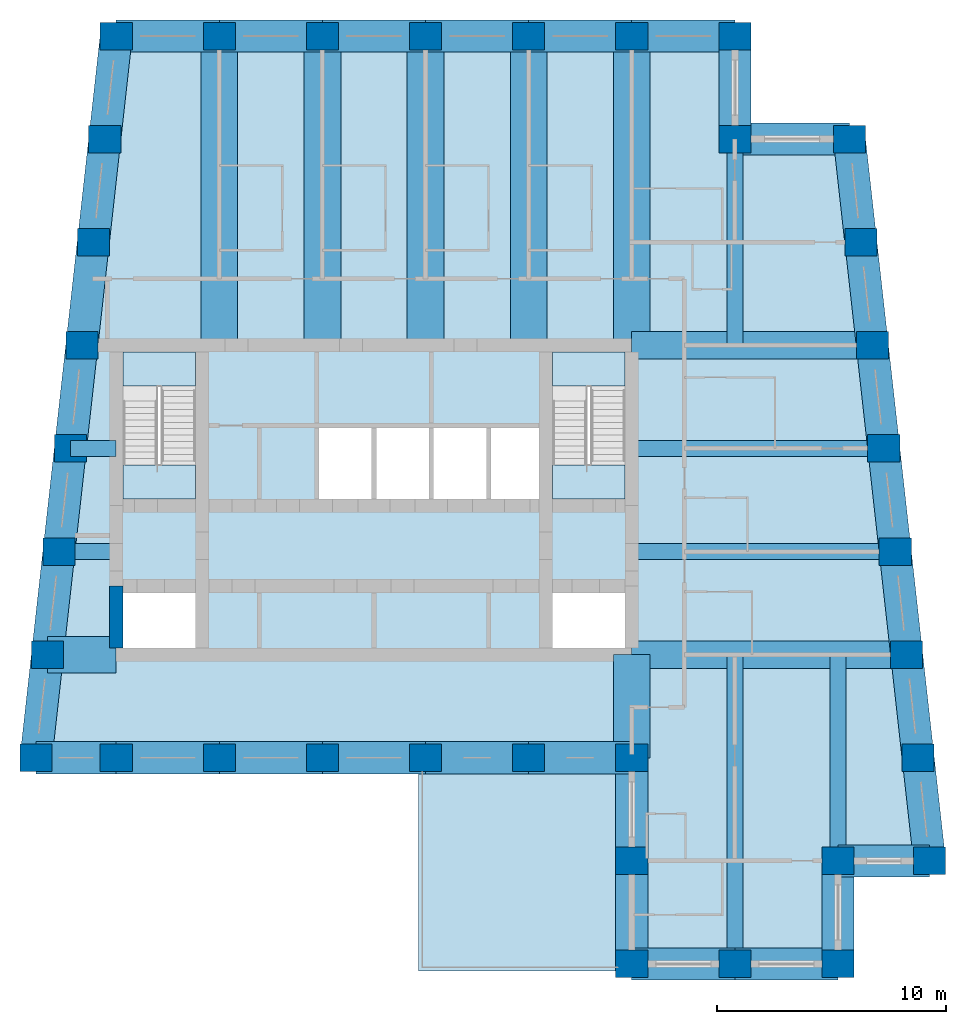
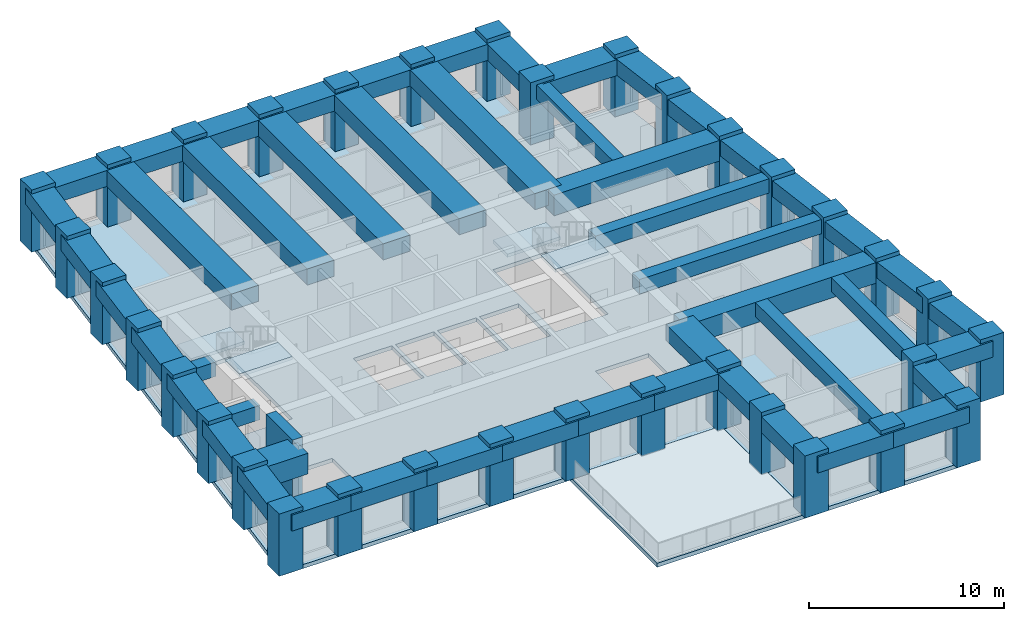
# One storey, part 1 of 7: 50 beams, 34 columns, 6 slabs, 1 wall, 2 elements without a shape of their own.
"""IFC4 building model written with IfcOpenShell, lengths in metres."""

from ifc_helpers import new_model, si_unit, direction, frame, frame_2d, origin, origin_2d, place, context, subcontext, project, spatial, polyline, rectangle, outline, extrude, material, layer, layer_set, material_profile, profile_set, type_object, element, aggregate, save


model = new_model("IFC4")

# Units and contexts
model_context = context("Model", 3, precision=1e-05, world=origin(), true_north=direction((0.0, 1.0)))
body_context = subcontext(model_context, "Body", "Model", "MODEL_VIEW")
ifc_project = project(units=[si_unit("LENGTHUNIT", "METRE"), si_unit("AREAUNIT", "SQUARE_METRE"), si_unit("VOLUMEUNIT", "CUBIC_METRE"), si_unit("PLANEANGLEUNIT", "RADIAN"), si_unit("MASSUNIT", "GRAM", prefix="KILO")], contexts=[model_context])

# Site, building, storey
site_placement = place(None, origin())
site = spatial("IfcSite", under=ifc_project, at=site_placement, CompositionType="ELEMENT")
building_placement = place(site_placement, origin())
building = spatial("IfcBuilding", under=site, at=building_placement, Name="Kilele Tower Hotel", CompositionType="ELEMENT")
storey_placement = place(building_placement, frame((0.0, 0.0, 250.699951171875)))
storey = spatial("IfcBuildingStorey", under=building, at=storey_placement, Name="L64", CompositionType="ELEMENT", Elevation=250.699951171875)

# Columns
ifc_material_1 = material(Name="Concrete C60/75", Category="concrete")
ifc_material_profile_1 = material_profile(ifc_material_1, rectangle(XDim=1.39990234375, YDim=1.199951171875, at=origin_2d()))
ifc_profile_set_1 = profile_set([ifc_material_profile_1], Name="Concrete C60/75")
column_type = type_object("IfcColumnType", Name="Tube column RC 1400x1200 C60/75", PredefinedType="COLUMN", material=ifc_profile_set_1)
for number, where, z_axis, x_axis, name in (
    (1, (10.0, 9.0, 0.0), (0.0, 0.0, 1.0), (1.0, 0.0, 0.0), "Column TC5 L64"),
    (2, (13.5, 9.0, 0.0), (0.0, 0.0, 1.0), (1.0, 0.0, 0.0), "Column TC5 L64"),
    (3, (18.0, 9.0, 0.0), (0.0, 0.0, 1.0), (1.0, 0.0, 0.0), "Column TC5 L64"),
    (4, (22.5, 9.0, 0.0), (0.0, 0.0, 1.0), (1.0, 0.0, 0.0), "Column TC5 L64"),
    (5, (27.0, 9.0, 0.0), (0.0, 0.0, 1.0), (1.0, 0.0, 0.0), "Column TC5 L64"),
    (6, (31.5, 9.0, 0.0), (0.0, 0.0, 1.0), (1.0, 0.0, 0.0), "Column TC5 L64"),
    (7, (36.0, 9.0, 0.0), (0.0, 0.0, 1.0), (1.0, 0.0, 0.0), "Column TC5 L64"),
    (8, (36.0, 4.5, 0.0), (0.0, 0.0, 1.0), (1.0, 0.0, 0.0), "Column TC5 L64"),
    (9, (36.0, 0.0, 0.0), (0.0, 0.0, 1.0), (1.0, 0.0, 0.0), "Column TC5 L64"),
    (10, (40.5, 0.0, 0.0), (0.0, 0.0, 1.0), (1.0, 0.0, 0.0), "Column TC5 L64"),
    (11, (45.0, 0.0, 0.0), (0.0, 0.0, 1.0), (1.0, 0.0, 0.0), "Column TC5 L64"),
    (12, (45.0, 4.5, 0.0), (0.0, 0.0, 1.0), (1.0, 0.0, 0.0), "Column TC5 L64"),
    (13, (49.0, 4.5, 0.0), (0.0, 0.0, 1.0), (1.0, 0.0, 0.0), "Column TC5 L64"),
    (14, (48.5, 9.0, 0.0), (0.0, 0.0, 1.0), (1.0, 0.0, 0.0), "Column TC5 L64"),
    (15, (48.0, 13.5, 0.0), (0.0, 0.0, 1.0), (1.0, 0.0, 0.0), "Column TC5 L64"),
    (16, (47.5, 18.0, 0.0), (0.0, 0.0, 1.0), (1.0, 0.0, 0.0), "Column TC5 L64"),
    (17, (47.0, 22.5, 0.0), (0.0, 0.0, 1.0), (1.0, 0.0, 0.0), "Column TC5 L64"),
    (18, (46.5, 27.0, 0.0), (0.0, 0.0, 1.0), (1.0, 0.0, 0.0), "Column TC5 L64"),
    (19, (46.0, 31.5, 0.0), (0.0, 0.0, 1.0), (1.0, 0.0, 0.0), "Column TC5 L64"),
    (20, (45.5, 36.0, 0.0), (0.0, 0.0, 1.0), (1.0, 0.0, 0.0), "Column TC5 L64"),
    (21, (40.5, 36.0, 0.0), (0.0, 0.0, 1.0), (1.0, 0.0, 0.0), "Column TC5 L64"),
    (22, (40.5, 40.5, 0.0), (0.0, 0.0, 1.0), (1.0, 0.0, 0.0), "Column TC5 L64"),
    (23, (36.0, 40.5, 0.0), (0.0, 0.0, 1.0), (1.0, 0.0, 0.0), "Column TC5 L64"),
    (24, (31.5, 40.5, 0.0), (0.0, 0.0, 1.0), (1.0, 0.0, 0.0), "Column TC5 L64"),
    (25, (27.0, 40.5, 0.0), (0.0, 0.0, 1.0), (1.0, 0.0, 0.0), "Column TC5 L64"),
    (26, (22.5, 40.5, 0.0), (0.0, 0.0, 1.0), (1.0, 0.0, 0.0), "Column TC5 L64"),
    (27, (18.0, 40.5, 0.0), (0.0, 0.0, 1.0), (1.0, 0.0, 0.0), "Column TC5 L64"),
    (28, (13.5, 40.5, 0.0), (0.0, 0.0, 1.0), (1.0, 0.0, 0.0), "Column TC5 L64"),
    (29, (13.0, 36.0, 0.0), (0.0, 0.0, 1.0), (1.0, 0.0, 0.0), "Column TC5 L64"),
    (30, (12.5, 31.5, 0.0), (0.0, 0.0, 1.0), (1.0, 0.0, 0.0), "Column TC5 L64"),
    (31, (12.0, 27.0, 0.0), (0.0, 0.0, 1.0), (1.0, 0.0, 0.0), "Column TC5 L64"),
    (32, (11.5, 22.5, 0.0), (0.0, 0.0, 1.0), (1.0, 0.0, 0.0), "Column TC5 L64"),
    (33, (11.0, 18.0, 0.0), (0.0, 0.0, 1.0), (1.0, 0.0, 0.0), "Column TC5 L64"),
    (34, (10.5, 13.5, 0.0), (0.0, 0.0, 1.0), (1.0, 0.0, 0.0), "Column TC5 L64"),
):
    element("IfcColumn", number, at=place(storey_placement, frame(where, z_axis=z_axis, x_axis=x_axis)), inside=storey, type_object=column_type, Name=name, PredefinedType="COLUMN", context=body_context, shape_type="SweptSolid", body=[
        extrude(rectangle(XDim=1.39990234375, YDim=1.199951171875, at=origin_2d()), origin(), (0.0, 0.0, 1.0), 3.900146484375),
    ])

# Beams
ifc_material_2 = material(Name="Concrete C60/75", Category="concrete")
ifc_material_profile_2 = material_profile(ifc_material_2, rectangle(XDim=1.60009765625, YDim=1.0, at=origin_2d()))
ifc_profile_set_2 = profile_set([ifc_material_profile_2], Name="Concrete C60/75")
beam_type_1 = type_object("IfcBeamType", Name="Beam RC 1600x1000 C60/75", PredefinedType="BEAM", material=ifc_profile_set_2)
for number, where, z_axis, x_axis, name in (
    (35, (36.0, 40.5, 3.150146484375), (0.0, -1.0, 0.0), (1.0, 0.0, 0.0), "Beam BC1 level L65"),
    (36, (31.5, 40.5, 3.150146484375), (0.0, -1.0, 0.0), (1.0, 0.0, 0.0), "Beam BC1 level L65"),
    (37, (27.0, 40.5, 3.150146484375), (0.0, -1.0, 0.0), (1.0, 0.0, 0.0), "Beam BC1 level L65"),
    (38, (22.5, 40.5, 3.150146484375), (0.0, -1.0, 0.0), (1.0, 0.0, 0.0), "Beam BC1 level L65"),
    (39, (18.0, 40.5, 3.150146484375), (0.0, -1.0, 0.0), (1.0, 0.0, 0.0), "Beam BC1 level L65"),
):
    element("IfcBeam", number, at=place(storey_placement, frame(where, z_axis=z_axis, x_axis=x_axis)), inside=storey, type_object=beam_type_1, Name=name, PredefinedType="BEAM", context=body_context, shape_type="SweptSolid", body=[
        extrude(rectangle(XDim=1.60009765625, YDim=1.0, at=origin_2d()), origin(), (0.0, 0.0, 1.0), 13.5),
    ])
ifc_material_3 = material(Name="Concrete C60/75", Category="concrete")
ifc_material_profile_3 = material_profile(ifc_material_3, rectangle(XDim=1.60009765625, YDim=1.0, at=origin_2d()))
ifc_profile_set_3 = profile_set([ifc_material_profile_3], Name="Concrete C60/75")
beam_type_2 = type_object("IfcBeamType", Name="Beam RC 1600x1000 C60/75 short span", PredefinedType="BEAM", material=ifc_profile_set_3)
beam_1_placement = place(storey_placement, frame((36.0, 9.0, 3.150146484375), z_axis=(0.0, 1.0, 0.0), x_axis=(-1.0, 0.0, 0.0)))
element("IfcBeam", 40, at=beam_1_placement, inside=storey, type_object=beam_type_2, Name="Beam BC2 level L65", PredefinedType="BEAM", context=body_context, shape_type="SweptSolid", body=[
    extrude(rectangle(XDim=1.60009765625, YDim=1.0, at=origin_2d()), origin(), (0.0, 0.0, 1.0), 4.5),
])
ifc_material_4 = material(Name="Concrete C60/75", Category="concrete")
ifc_material_profile_4 = material_profile(ifc_material_4, rectangle(XDim=0.699951171875, YDim=0.89990234375, at=origin_2d()))
ifc_profile_set_4 = profile_set([ifc_material_profile_4], Name="Concrete C60/75")
beam_type_3 = type_object("IfcBeamType", Name="Beam RC 700x900 C60/75", PredefinedType="BEAM", material=ifc_profile_set_4)
beam_2_placement = place(storey_placement, frame((40.5, 0.0, 3.199951171875), z_axis=(0.0, 1.0, 0.0), x_axis=(-1.0, 0.0, 0.0)))
element("IfcBeam", 41, at=beam_2_placement, inside=storey, type_object=beam_type_3, Name="Beam B1 level L65", PredefinedType="BEAM", context=body_context, shape_type="SweptSolid", body=[
    extrude(rectangle(XDim=0.699951171875, YDim=0.89990234375, at=origin_2d()), origin(), (0.0, 0.0, 1.0), 13.5),
])
ifc_material_5 = material(Name="Concrete C60/75", Category="concrete")
ifc_material_profile_5 = material_profile(ifc_material_5, rectangle(XDim=0.699951171875, YDim=0.89990234375, at=origin_2d()))
ifc_profile_set_5 = profile_set([ifc_material_profile_5], Name="Concrete C60/75")
beam_type_4 = type_object("IfcBeamType", Name="Beam RC 700x900 C60/75 mid span", PredefinedType="BEAM", material=ifc_profile_set_5)
beam_3_placement = place(storey_placement, frame((45.0, 4.5, 3.199951171875), z_axis=(0.0, 1.0, 0.0), x_axis=(-1.0, 0.0, 0.0)))
element("IfcBeam", 42, at=beam_3_placement, inside=storey, type_object=beam_type_4, Name="Beam B2 level L65", PredefinedType="BEAM", context=body_context, shape_type="SweptSolid", body=[
    extrude(rectangle(XDim=0.699951171875, YDim=0.89990234375, at=origin_2d()), origin(), (0.0, 0.0, 1.0), 9.0),
])
beam_4_placement = place(storey_placement, frame((47.5, 18.0, 3.199951171875), z_axis=(-1.0, 0.0, 0.0), x_axis=(0.0, -1.0, 0.0)))
element("IfcBeam", 43, at=beam_4_placement, inside=storey, type_object=beam_type_4, Name="Beam B2 level L65", PredefinedType="BEAM", context=body_context, shape_type="SweptSolid", body=[
    extrude(rectangle(XDim=0.699951171875, YDim=0.89990234375, at=origin_2d()), origin(), (0.0, 0.0, 1.0), 11.5),
])
beam_5_placement = place(storey_placement, frame((47.0, 22.5, 3.199951171875), z_axis=(-1.0, 0.0, 0.0), x_axis=(0.0, -1.0, 0.0)))
element("IfcBeam", 44, at=beam_5_placement, inside=storey, type_object=beam_type_4, Name="Beam B2 level L65", PredefinedType="BEAM", context=body_context, shape_type="SweptSolid", body=[
    extrude(rectangle(XDim=0.699951171875, YDim=0.89990234375, at=origin_2d()), origin(), (0.0, 0.0, 1.0), 11.0),
])
beam_6_placement = place(storey_placement, frame((40.5, 36.0, 3.199951171875), z_axis=(0.0, -1.0, 0.0), x_axis=(1.0, 0.0, 0.0)))
element("IfcBeam", 45, at=beam_6_placement, inside=storey, type_object=beam_type_4, Name="Beam B2 level L65", PredefinedType="BEAM", context=body_context, shape_type="SweptSolid", body=[
    extrude(rectangle(XDim=0.699951171875, YDim=0.89990234375, at=origin_2d()), origin(), (0.0, 0.0, 1.0), 9.0),
])
ifc_material_6 = material(Name="Concrete C60/75", Category="concrete")
ifc_material_profile_6 = material_profile(ifc_material_6, rectangle(XDim=0.699951171875, YDim=0.89990234375, at=origin_2d()))
ifc_profile_set_6 = profile_set([ifc_material_profile_6], Name="Concrete C60/75")
beam_type_5 = type_object("IfcBeamType", Name="Beam RC 700x900 C60/75 short span", PredefinedType="BEAM", material=ifc_profile_set_6)
beam_7_placement = place(storey_placement, frame((11.5, 22.5, 3.199951171875), z_axis=(1.0, 0.0, 0.0), x_axis=(0.0, 1.0, 0.0)))
element("IfcBeam", 46, at=beam_7_placement, inside=storey, type_object=beam_type_5, Name="Beam B3 level L65", PredefinedType="BEAM", context=body_context, shape_type="SweptSolid", body=[
    extrude(rectangle(XDim=0.699951171875, YDim=0.89990234375, at=origin_2d()), origin(), (0.0, 0.0, 1.0), 2.0),
])
beam_8_placement = place(storey_placement, frame((11.0, 18.0, 3.199951171875), z_axis=(1.0, 0.0, 0.0), x_axis=(0.0, 1.0, 0.0)))
element("IfcBeam", 47, at=beam_8_placement, inside=storey, type_object=beam_type_5, Name="Beam B3 level L65", PredefinedType="BEAM", context=body_context, shape_type="SweptSolid", body=[
    extrude(rectangle(XDim=0.699951171875, YDim=0.89990234375, at=origin_2d()), origin(), (0.0, 0.0, 1.0), 2.5),
])
ifc_material_7 = material(Name="Concrete C60/75", Category="concrete")
ifc_material_profile_7 = material_profile(ifc_material_7, rectangle(XDim=1.60009765625, YDim=1.300048828125, at=origin_2d()))
ifc_profile_set_7 = profile_set([ifc_material_profile_7], Name="Concrete C60/75")
beam_type_6 = type_object("IfcBeamType", Name="Coupling girder RC 1600x1300 C60/75", PredefinedType="BEAM", material=ifc_profile_set_7)
beam_9_placement = place(storey_placement, frame((10.5, 13.5, 3.0), z_axis=(1.0, 0.0, 0.0), x_axis=(0.0, 1.0, 0.0)))
element("IfcBeam", 48, at=beam_9_placement, inside=storey, type_object=beam_type_6, Name="Coupling girder G2 level L65", PredefinedType="BEAM", context=body_context, shape_type="SweptSolid", body=[
    extrude(rectangle(XDim=1.60009765625, YDim=1.300048828125, at=origin_2d()), origin(), (0.0, 0.0, 1.0), 3.0),
])
ifc_material_8 = material(Name="Concrete C60/75", Category="concrete")
ifc_material_profile_8 = material_profile(ifc_material_8, rectangle(XDim=1.199951171875, YDim=1.300048828125, at=origin_2d()))
ifc_profile_set_8 = profile_set([ifc_material_profile_8], Name="Concrete C60/75")
beam_type_7 = type_object("IfcBeamType", Name="Girder RC 1200x1300 C60/75", PredefinedType="BEAM", material=ifc_profile_set_8)
beam_10_placement = place(storey_placement, frame((48.0, 13.5, 3.0), z_axis=(-1.0, 0.0, 0.0), x_axis=(0.0, -1.0, 0.0)))
element("IfcBeam", 49, at=beam_10_placement, inside=storey, type_object=beam_type_7, Name="Girder G1 level L65", PredefinedType="BEAM", context=body_context, shape_type="SweptSolid", body=[
    extrude(rectangle(XDim=1.199951171875, YDim=1.300048828125, at=origin_2d()), origin(), (0.0, 0.0, 1.0), 12.0),
])
ifc_material_9 = material(Name="Concrete C60/75", Category="concrete")
ifc_material_profile_9 = material_profile(ifc_material_9, rectangle(XDim=1.199951171875, YDim=1.300048828125, at=origin_2d()))
ifc_profile_set_9 = profile_set([ifc_material_profile_9], Name="Concrete C60/75")
beam_type_8 = type_object("IfcBeamType", Name="Girder RC 1200x1300 C60/75 mid span", PredefinedType="BEAM", material=ifc_profile_set_9)
beam_11_placement = place(storey_placement, frame((46.5, 27.0, 3.0), z_axis=(-1.0, 0.0, 0.0), x_axis=(0.0, -1.0, 0.0)))
element("IfcBeam", 50, at=beam_11_placement, inside=storey, type_object=beam_type_8, Name="Girder G3 level L65", PredefinedType="BEAM", context=body_context, shape_type="SweptSolid", body=[
    extrude(rectangle(XDim=1.199951171875, YDim=1.300048828125, at=origin_2d()), origin(), (0.0, 0.0, 1.0), 10.5),
])
ifc_material_10 = material(Name="Concrete C60/75", Category="concrete")
ifc_material_profile_10 = material_profile(ifc_material_10, rectangle(XDim=1.39990234375, YDim=1.0, at=origin_2d()))
ifc_profile_set_10 = profile_set([ifc_material_profile_10], Name="Concrete C60/75")
beam_type_9 = type_object("IfcBeamType", Name="Spandrel RC 1400x1000 C60/75", PredefinedType="SPANDREL", material=ifc_profile_set_10)
beam_12_placement = place(storey_placement, frame((10.0, 9.0, 3.150146484375), z_axis=(1.0, 0.0, 0.0), x_axis=(0.0, 1.0, 0.0)))
element("IfcBeam", 51, at=beam_12_placement, inside=storey, type_object=beam_type_9, Name="Spandrel SP1 level L65", PredefinedType="SPANDREL", context=body_context, shape_type="SweptSolid", body=[
    extrude(rectangle(XDim=1.39990234375, YDim=1.0, at=origin_2d()), origin(), (0.0, 0.0, 1.0), 3.5),
])
for number, where, z_axis, x_axis, name in (
    (52, (13.5, 9.0, 3.150146484375), (1.0, 0.0, 0.0), (0.0, 1.0, 0.0), "Spandrel SP1 level L65"),
    (53, (18.0, 9.0, 3.150146484375), (1.0, 0.0, 0.0), (0.0, 1.0, 0.0), "Spandrel SP1 level L65"),
    (54, (22.5, 9.0, 3.150146484375), (1.0, 0.0, 0.0), (0.0, 1.0, 0.0), "Spandrel SP1 level L65"),
    (55, (27.0, 9.0, 3.150146484375), (1.0, 0.0, 0.0), (0.0, 1.0, 0.0), "Spandrel SP1 level L65"),
    (56, (31.5, 9.0, 3.150146484375), (1.0, 0.0, 0.0), (0.0, 1.0, 0.0), "Spandrel SP1 level L65"),
    (57, (36.0, 9.0, 3.150146484375), (0.0, -1.0, 0.0), (1.0, 0.0, 0.0), "Spandrel SP1 level L65"),
    (58, (36.0, 4.5, 3.150146484375), (0.0, -1.0, 0.0), (1.0, 0.0, 0.0), "Spandrel SP1 level L65"),
    (59, (36.0, 0.0, 3.150146484375), (1.0, 0.0, 0.0), (0.0, 1.0, 0.0), "Spandrel SP1 level L65"),
    (60, (40.5, 0.0, 3.150146484375), (1.0, 0.0, 0.0), (0.0, 1.0, 0.0), "Spandrel SP1 level L65"),
    (61, (45.0, 0.0, 3.150146484375), (0.0, 1.0, 0.0), (-1.0, 0.0, 0.0), "Spandrel SP1 level L65"),
):
    element("IfcBeam", number, at=place(storey_placement, frame(where, z_axis=z_axis, x_axis=x_axis)), inside=storey, type_object=beam_type_9, Name=name, PredefinedType="SPANDREL", context=body_context, shape_type="SweptSolid", body=[
        extrude(rectangle(XDim=1.39990234375, YDim=1.0, at=origin_2d()), origin(), (0.0, 0.0, 1.0), 4.5),
    ])
beam_13_placement = place(storey_placement, frame((45.0, 4.5, 3.150146484375), z_axis=(1.0, 0.0, 0.0), x_axis=(0.0, 1.0, 0.0)))
element("IfcBeam", 62, at=beam_13_placement, inside=storey, type_object=beam_type_9, Name="Spandrel SP1 level L65", PredefinedType="SPANDREL", context=body_context, shape_type="SweptSolid", body=[
    extrude(rectangle(XDim=1.39990234375, YDim=1.0, at=origin_2d()), origin(), (0.0, 0.0, 1.0), 4.0),
])
for number, where, z_axis, x_axis, name in (
    (63, (49.0, 4.5, 3.150146484375), (-0.110431526075, 0.993883734674, 0.0), (-0.993883734674, -0.110431526075, 0.0), "Spandrel SP1 level L65"),
    (64, (48.5, 9.0, 3.150146484375), (-0.110431526075, 0.993883734674, 0.0), (-0.993883734674, -0.110431526075, 0.0), "Spandrel SP1 level L65"),
    (65, (48.0, 13.5, 3.150146484375), (-0.110431526075, 0.993883734674, 0.0), (-0.993883734674, -0.110431526075, 0.0), "Spandrel SP1 level L65"),
    (66, (47.5, 18.0, 3.150146484375), (-0.110431526075, 0.993883734674, 0.0), (-0.993883734674, -0.110431526075, 0.0), "Spandrel SP1 level L65"),
    (67, (47.0, 22.5, 3.150146484375), (-0.110431526075, 0.993883734674, 0.0), (-0.993883734674, -0.110431526075, 0.0), "Spandrel SP1 level L65"),
    (68, (46.5, 27.0, 3.150146484375), (-0.110431526075, 0.993883734674, 0.0), (-0.993883734674, -0.110431526075, 0.0), "Spandrel SP1 level L65"),
    (69, (46.0, 31.5, 3.150146484375), (-0.110431526075, 0.993883734674, 0.0), (-0.993883734674, -0.110431526075, 0.0), "Spandrel SP1 level L65"),
):
    element("IfcBeam", number, at=place(storey_placement, frame(where, z_axis=z_axis, x_axis=x_axis)), inside=storey, type_object=beam_type_9, Name=name, PredefinedType="SPANDREL", context=body_context, shape_type="SweptSolid", body=[
        extrude(rectangle(XDim=1.39990234375, YDim=1.0, at=origin_2d()), origin(), (0.0, 0.0, 1.0), 4.527587890625),
    ])
beam_14_placement = place(storey_placement, frame((45.5, 36.0, 3.150146484375), z_axis=(-1.0, 0.0, 0.0), x_axis=(0.0, -1.0, 0.0)))
element("IfcBeam", 70, at=beam_14_placement, inside=storey, type_object=beam_type_9, Name="Spandrel SP1 level L65", PredefinedType="SPANDREL", context=body_context, shape_type="SweptSolid", body=[
    extrude(rectangle(XDim=1.39990234375, YDim=1.0, at=origin_2d()), origin(), (0.0, 0.0, 1.0), 5.0),
])
for number, where, z_axis, x_axis, name in (
    (71, (40.5, 36.0, 3.150146484375), (0.0, 1.0, 0.0), (-1.0, 0.0, 0.0), "Spandrel SP1 level L65"),
    (72, (40.5, 40.5, 3.150146484375), (-1.0, 0.0, 0.0), (0.0, -1.0, 0.0), "Spandrel SP1 level L65"),
    (73, (36.0, 40.5, 3.150146484375), (-1.0, 0.0, 0.0), (0.0, -1.0, 0.0), "Spandrel SP1 level L65"),
    (74, (31.5, 40.5, 3.150146484375), (-1.0, 0.0, 0.0), (0.0, -1.0, 0.0), "Spandrel SP1 level L65"),
    (75, (27.0, 40.5, 3.150146484375), (-1.0, 0.0, 0.0), (0.0, -1.0, 0.0), "Spandrel SP1 level L65"),
    (76, (22.5, 40.5, 3.150146484375), (-1.0, 0.0, 0.0), (0.0, -1.0, 0.0), "Spandrel SP1 level L65"),
    (77, (18.0, 40.5, 3.150146484375), (-1.0, 0.0, 0.0), (0.0, -1.0, 0.0), "Spandrel SP1 level L65"),
):
    element("IfcBeam", number, at=place(storey_placement, frame(where, z_axis=z_axis, x_axis=x_axis)), inside=storey, type_object=beam_type_9, Name=name, PredefinedType="SPANDREL", context=body_context, shape_type="SweptSolid", body=[
        extrude(rectangle(XDim=1.39990234375, YDim=1.0, at=origin_2d()), origin(), (0.0, 0.0, 1.0), 4.5),
    ])
for number, where, z_axis, x_axis, name in (
    (78, (13.5, 40.5, 3.150146484375), (-0.110431526075, -0.993883734674, 0.0), (0.993883734674, -0.110431526075, 0.0), "Spandrel SP1 level L65"),
    (79, (13.0, 36.0, 3.150146484375), (-0.110431526075, -0.993883734674, 0.0), (0.993883734674, -0.110431526075, 0.0), "Spandrel SP1 level L65"),
    (80, (12.5, 31.5, 3.150146484375), (-0.110431526075, -0.993883734674, 0.0), (0.993883734674, -0.110431526075, 0.0), "Spandrel SP1 level L65"),
    (81, (12.0, 27.0, 3.150146484375), (-0.110431526075, -0.993883734674, 0.0), (0.993883734674, -0.110431526075, 0.0), "Spandrel SP1 level L65"),
    (82, (11.5, 22.5, 3.150146484375), (-0.110431526075, -0.993883734674, 0.0), (0.993883734674, -0.110431526075, 0.0), "Spandrel SP1 level L65"),
    (83, (11.0, 18.0, 3.150146484375), (-0.110431526075, -0.993883734674, 0.0), (0.993883734674, -0.110431526075, 0.0), "Spandrel SP1 level L65"),
    (84, (10.5, 13.5, 3.150146484375), (-0.110431526075, -0.993883734674, 0.0), (0.993883734674, -0.110431526075, 0.0), "Spandrel SP1 level L65"),
):
    element("IfcBeam", number, at=place(storey_placement, frame(where, z_axis=z_axis, x_axis=x_axis)), inside=storey, type_object=beam_type_9, Name=name, PredefinedType="SPANDREL", context=body_context, shape_type="SweptSolid", body=[
        extrude(rectangle(XDim=1.39990234375, YDim=1.0, at=origin_2d()), origin(), (0.0, 0.0, 1.0), 4.527587890625),
    ])

# Slabs
ifc_material_11 = material(Name="Concrete C60/75", Category="concrete")
ifc_layer_1 = layer(ifc_material_11, 0.25)
ifc_layer_set_1 = layer_set([ifc_layer_1], Name="Concrete C60/75")
slab_type_1 = type_object("IfcSlabType", Name="Floor slab 250", PredefinedType="FLOOR", material=ifc_layer_set_1)
slab_1_placement = place(storey_placement, frame((0.0, 0.0, -0.25)))
element("IfcSlab", 85, at=slab_1_placement, inside=storey, type_object=slab_type_1, Name="Floor slab L64", PredefinedType="FLOOR", context=body_context, shape_type="SweptSolid", body=[
    extrude(outline(polyline([(40.800048828125, 40.800048828125), (40.800048828125, 36.300048828125), (45.7685546875, 36.300048828125), (49.335205078125, 4.199951171875), (45.300048828125, 4.199951171875), (45.300048828125, -0.300048828125), (35.699951171875, -0.300048828125), (35.699951171875, 8.699951171875), (26.699951171875, 8.699951171875), (9.664794921875, 8.699951171875), (13.2314453125, 40.800048828125), (40.800048828125, 40.800048828125)]), holes=[polyline([(16.949951171875, 16.199951171875), (13.800048828125, 16.199951171875), (13.800048828125, 13.800048828125), (16.949951171875, 13.800048828125), (16.949951171875, 16.199951171875)]), polyline([(35.699951171875, 16.199951171875), (32.550048828125, 16.199951171875), (32.550048828125, 13.800048828125), (35.699951171875, 13.800048828125), (35.699951171875, 16.199951171875)]), polyline([(24.64990234375, 23.39990234375), (22.35009765625, 23.39990234375), (22.35009765625, 20.10009765625), (24.64990234375, 20.10009765625), (24.64990234375, 23.39990234375)]), polyline([(27.14990234375, 23.39990234375), (24.85009765625, 23.39990234375), (24.85009765625, 20.10009765625), (27.14990234375, 20.10009765625), (27.14990234375, 23.39990234375)]), polyline([(29.64990234375, 23.39990234375), (27.35009765625, 23.39990234375), (27.35009765625, 20.10009765625), (29.64990234375, 20.10009765625), (29.64990234375, 23.39990234375)]), polyline([(32.14990234375, 23.39990234375), (29.85009765625, 23.39990234375), (29.85009765625, 20.10009765625), (32.14990234375, 20.10009765625), (32.14990234375, 23.39990234375)]), polyline([(16.949951171875, 26.699951171875), (13.800048828125, 26.699951171875), (13.800048828125, 20.300048828125), (16.949951171875, 20.300048828125), (16.949951171875, 26.699951171875)]), polyline([(35.699951171875, 26.699951171875), (32.550048828125, 26.699951171875), (32.550048828125, 20.300048828125), (35.699951171875, 20.300048828125), (35.699951171875, 26.699951171875)])]), origin(), (0.0, 0.0, 1.0), 0.25),
])
ifc_material_12 = material(Name="Concrete C60/75", Category="concrete")
ifc_layer_2 = layer(ifc_material_12, 0.25)
ifc_layer_set_2 = layer_set([ifc_layer_2], Name="Concrete C60/75")
slab_type_2 = type_object("IfcSlabType", Name="Roof slab 250", PredefinedType="ROOF", material=ifc_layer_set_2)
slab_2_placement = place(storey_placement, frame((0.0, 0.0, -0.25)))
element("IfcSlab", 86, at=slab_2_placement, inside=storey, type_object=slab_type_2, Name="Roof slab level L64", PredefinedType="ROOF", context=body_context, shape_type="SweptSolid", body=[
    extrude(outline(polyline([(26.699951171875, -0.300048828125), (26.699951171875, 8.698974609375), (35.698974609375, 8.698974609375), (35.698974609375, -0.300048828125), (26.699951171875, -0.300048828125)])), origin(), (0.0, 0.0, 1.0), 0.25),
])

# Stair, slabs
ifc_material_13 = material(Name="Precast concrete C40/50", Category="concrete")
stair_type = type_object("IfcStairType", Name="Stair 1475 x 3900", PredefinedType="HALF_TURN_STAIR", material=ifc_material_13)
stair_1_placement = place(storey_placement, origin())
stair_1 = element("IfcStair", 87, at=stair_1_placement, inside=storey, type_object=stair_type, Name="Stair 1 L64", PredefinedType="HALF_TURN_STAIR")
ifc_material_14 = material(Name="Precast concrete C40/50", Category="concrete")
ifc_layer_3 = layer(ifc_material_14, 0.199951171875)
ifc_layer_set_3 = layer_set([ifc_layer_3], Name="Precast concrete C40/50")
slab_type_3 = type_object("IfcSlabType", Name="Stair landing 200", PredefinedType="LANDING", material=ifc_layer_set_3)
slab_3_placement = place(storey_placement, frame((0.0, 0.0, 1.665283203125)))
slab_3 = element("IfcSlab", 88, at=slab_3_placement, type_object=slab_type_3, Name="ST1 landing 1", PredefinedType="LANDING", context=body_context, shape_type="SweptSolid", body=[
    extrude(outline(polyline([(13.800048828125, 25.22509765625), (16.949951171875, 25.22509765625), (16.949951171875, 26.699951171875), (13.800048828125, 26.699951171875), (13.800048828125, 25.22509765625)])), origin(), (0.0, 0.0, 1.0), 0.199951171875),
])
slab_4_placement = place(storey_placement, frame((0.0, 0.0, 3.699951171875)))
slab_4 = element("IfcSlab", 89, at=slab_4_placement, type_object=slab_type_3, Name="ST1 landing 2", PredefinedType="LANDING", context=body_context, shape_type="SweptSolid", body=[
    extrude(outline(polyline([(13.800048828125, 20.300048828125), (16.949951171875, 20.300048828125), (16.949951171875, 21.77490234375), (13.800048828125, 21.77490234375), (13.800048828125, 20.300048828125)])), origin(), (0.0, 0.0, 1.0), 0.2001953125),
])
aggregate(stair_1, [slab_3, slab_4])

stair_2_placement = place(storey_placement, origin())
stair_2 = element("IfcStair", 90, at=stair_2_placement, inside=storey, type_object=stair_type, Name="Stair 2 L64", PredefinedType="HALF_TURN_STAIR")
slab_5_placement = place(storey_placement, frame((0.0, 0.0, 1.665283203125)))
slab_5 = element("IfcSlab", 91, at=slab_5_placement, type_object=slab_type_3, Name="ST2 landing 1", PredefinedType="LANDING", context=body_context, shape_type="SweptSolid", body=[
    extrude(outline(polyline([(32.550048828125, 25.22509765625), (35.699951171875, 25.22509765625), (35.699951171875, 26.699951171875), (32.550048828125, 26.699951171875), (32.550048828125, 25.22509765625)])), origin(), (0.0, 0.0, 1.0), 0.199951171875),
])
slab_6_placement = place(storey_placement, frame((0.0, 0.0, 3.699951171875)))
slab_6 = element("IfcSlab", 92, at=slab_6_placement, type_object=slab_type_3, Name="ST2 landing 2", PredefinedType="LANDING", context=body_context, shape_type="SweptSolid", body=[
    extrude(outline(polyline([(32.550048828125, 20.300048828125), (35.699951171875, 20.300048828125), (35.699951171875, 21.77490234375), (32.550048828125, 21.77490234375), (32.550048828125, 20.300048828125)])), origin(), (0.0, 0.0, 1.0), 0.2001953125),
])
aggregate(stair_2, [slab_5, slab_6])

# Wall
ifc_material_15 = material(Name="Concrete C60/75", Category="concrete")
ifc_layer_4 = layer(ifc_material_15, 0.60009765625)
ifc_layer_set_4 = layer_set([ifc_layer_4], Name="Concrete C60/75")
wall_type = type_object("IfcWallType", Name="Core wall 600 C60/75", PredefinedType="SHEAR", material=ifc_layer_set_4)
wall_placement = place(storey_placement, frame((13.5, 16.5, 0.0), z_axis=(0.0, 0.0, 1.0), x_axis=(0.0, -1.0, 0.0)))
element("IfcWall", 93, at=wall_placement, inside=storey, type_object=wall_type, Name="Core wall W3 L64", PredefinedType="SHEAR", context=body_context, shape_type="SweptSolid", body=[
    extrude(rectangle(XDim=2.699951171875, YDim=0.60009765625, at=frame_2d((1.35009765625, 0.0))), origin(), (0.0, 0.0, 1.0), 3.900146484375),
])

save(model, "model.ifc")
